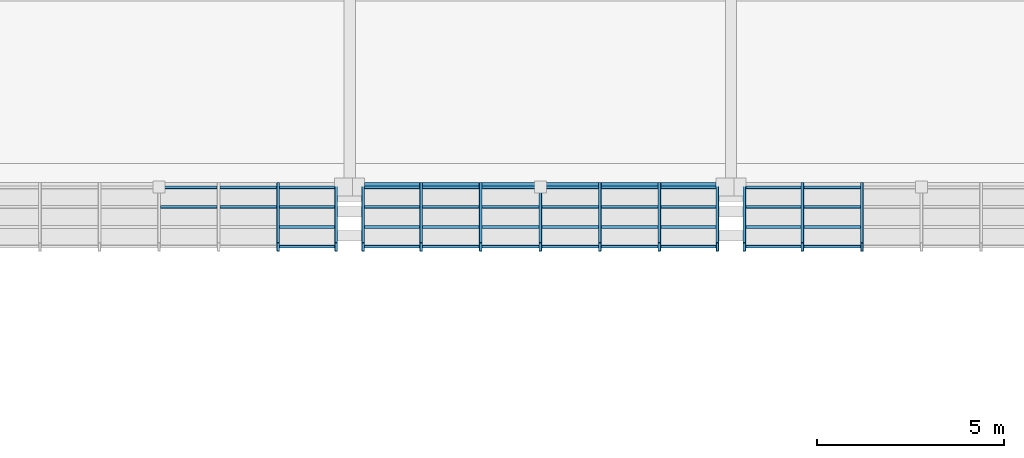
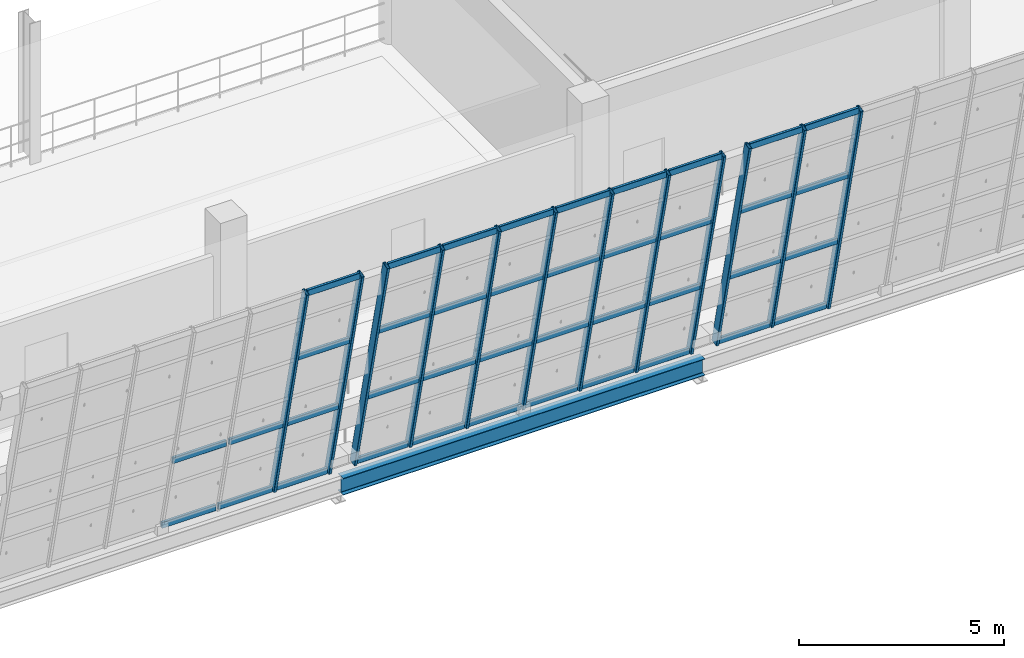
# One storey, part 28 of 157: 52 members, 1 beam, 3 elements without a shape of their own.
"""IFC4 building model written with IfcOpenShell, lengths in metres."""

from ifc_helpers import new_model, si_unit, direction, frame, origin, origin_2d, place, context, subcontext, project, spatial, hollow_rectangle, i_section, extrude, material, material_profile, profile_set, type_object, element, aggregate, save


model = new_model("IFC4")

# Units and contexts
model_context = context("Model", 3, precision=1e-05, world=origin(), true_north=direction((0.0, 1.0)))
body_context = subcontext(model_context, "Body", "Model", "MODEL_VIEW")
ifc_project = project(units=[si_unit("LENGTHUNIT", "METRE"), si_unit("AREAUNIT", "SQUARE_METRE"), si_unit("VOLUMEUNIT", "CUBIC_METRE"), si_unit("PLANEANGLEUNIT", "RADIAN"), si_unit("MASSUNIT", "GRAM", prefix="KILO")], contexts=[model_context])

# Site, building, storey
site_placement = place(None, origin())
site = spatial("IfcSite", under=ifc_project, at=site_placement, CompositionType="ELEMENT")
building_placement = place(site_placement, origin())
building = spatial("IfcBuilding", under=site, at=building_placement, Name="Brelvane Convention Centre", CompositionType="ELEMENT")
storey_placement = place(building_placement, frame((0.0, 0.0, 10.800048828125)))
storey = spatial("IfcBuildingStorey", under=building, at=storey_placement, Name="L02", CompositionType="ELEMENT", Elevation=10.800048828125)

# Curtain wall, members
ifc_material_1 = material(Name="Anodised Aluminium Alloy 6063-T6", Category="aluminium")
curtain_wall_type = type_object("IfcCurtainWallType", Name="Curtain Wall CW-HULL-S", PredefinedType="USERDEFINED", material=ifc_material_1)
curtain_wall_1_placement = place(storey_placement, origin())
curtain_wall_1 = element("IfcCurtainWall", 1, at=curtain_wall_1_placement, inside=storey, type_object=curtain_wall_type, Name="Curtain Wall CW-HULL-S L02-HULL-S-L02-07", ObjectType="UNITISED", PredefinedType="USERDEFINED")
ifc_material_2 = material(Name="Anodised Aluminium Alloy 6063-T6", Category="aluminium")
ifc_material_profile_1 = material_profile(ifc_material_2, hollow_rectangle(XDim=0.080078125, YDim=0.239990234375, WallThickness=0.006103515625, InnerFilletRadius=0.006103515625, OuterFilletRadius=0.011962890625, at=origin_2d()), Name="ALU-M 240x80x6.0")
ifc_profile_set_1 = profile_set([ifc_material_profile_1], Name="Anodised Aluminium Alloy 6063-T6")
member_type_1 = type_object("IfcMemberType", Name="Curtain Mullion CW-M1", PredefinedType="MULLION", material=ifc_profile_set_1)
member_1_placement = place(storey_placement, frame((69.486572265625, 13.60009765625, 0.0), z_axis=(0.0, -0.228360410362, 0.973576665178), x_axis=(1.0, 0.0, 0.0)))
member_1 = element("IfcMember", 2, at=member_1_placement, type_object=member_type_1, Name="CW-HULL-S mullion 6", PredefinedType="MULLION", context=body_context, shape_type="SweptSolid", body=[
    extrude(hollow_rectangle(XDim=0.080078125, YDim=0.239990234375, WallThickness=0.006103515625, InnerFilletRadius=0.006103515625, OuterFilletRadius=0.011962890625, at=origin_2d()), origin(), (0.0, 0.0, 1.0), 7.03564453125),
])
member_2_placement = place(storey_placement, frame((71.0400390625, 13.60009765625, 0.0), z_axis=(0.0, -0.228360410362, 0.973576665178), x_axis=(1.0, 0.0, 0.0)))
member_2 = element("IfcMember", 3, at=member_2_placement, type_object=member_type_1, Name="CW-HULL-S mullion 7", PredefinedType="MULLION", context=body_context, shape_type="SweptSolid", body=[
    extrude(hollow_rectangle(XDim=0.080078125, YDim=0.239990234375, WallThickness=0.006103515625, InnerFilletRadius=0.006103515625, OuterFilletRadius=0.011962890625, at=origin_2d()), origin(), (0.0, 0.0, 1.0), 7.03564453125),
])

curtain_wall_2_placement = place(storey_placement, origin())
curtain_wall_2 = element("IfcCurtainWall", 4, at=curtain_wall_2_placement, inside=storey, type_object=curtain_wall_type, Name="Curtain Wall CW-HULL-S L02-HULL-S-L02-08", ObjectType="UNITISED", PredefinedType="USERDEFINED")
member_3_placement = place(storey_placement, frame((71.760009765625, 13.60009765625, 0.0), z_axis=(0.0, -0.228360410362, 0.973576665178), x_axis=(1.0, 0.0, 0.0)))
member_3 = element("IfcMember", 5, at=member_3_placement, type_object=member_type_1, Name="CW-HULL-S mullion 1", PredefinedType="MULLION", context=body_context, shape_type="SweptSolid", body=[
    extrude(hollow_rectangle(XDim=0.080078125, YDim=0.239990234375, WallThickness=0.006103515625, InnerFilletRadius=0.006103515625, OuterFilletRadius=0.011962890625, at=origin_2d()), origin(), (0.0, 0.0, 1.0), 7.03564453125),
])
member_4_placement = place(storey_placement, frame((73.313232421875, 13.60009765625, 0.0), z_axis=(0.0, -0.228360410362, 0.973576665178), x_axis=(1.0, 0.0, 0.0)))
member_4 = element("IfcMember", 6, at=member_4_placement, type_object=member_type_1, Name="CW-HULL-S mullion 2", PredefinedType="MULLION", context=body_context, shape_type="SweptSolid", body=[
    extrude(hollow_rectangle(XDim=0.080078125, YDim=0.239990234375, WallThickness=0.006103515625, InnerFilletRadius=0.006103515625, OuterFilletRadius=0.011962890625, at=origin_2d()), origin(), (0.0, 0.0, 1.0), 7.03564453125),
])
member_5_placement = place(storey_placement, frame((74.90673828125, 13.60009765625, 0.0), z_axis=(0.0, -0.228360410362, 0.973576665178), x_axis=(1.0, 0.0, 0.0)))
member_5 = element("IfcMember", 7, at=member_5_placement, type_object=member_type_1, Name="CW-HULL-S mullion 3", PredefinedType="MULLION", context=body_context, shape_type="SweptSolid", body=[
    extrude(hollow_rectangle(XDim=0.080078125, YDim=0.239990234375, WallThickness=0.006103515625, InnerFilletRadius=0.006103515625, OuterFilletRadius=0.011962890625, at=origin_2d()), origin(), (0.0, 0.0, 1.0), 7.03564453125),
])
member_6_placement = place(storey_placement, frame((76.5, 13.60009765625, 0.0), z_axis=(0.0, -0.228360410362, 0.973576665178), x_axis=(1.0, 0.0, 0.0)))
member_6 = element("IfcMember", 8, at=member_6_placement, type_object=member_type_1, Name="CW-HULL-S mullion 4", PredefinedType="MULLION", context=body_context, shape_type="SweptSolid", body=[
    extrude(hollow_rectangle(XDim=0.080078125, YDim=0.239990234375, WallThickness=0.006103515625, InnerFilletRadius=0.006103515625, OuterFilletRadius=0.011962890625, at=origin_2d()), origin(), (0.0, 0.0, 1.0), 7.03564453125),
])
member_7_placement = place(storey_placement, frame((78.09326171875, 13.60009765625, 0.0), z_axis=(0.0, -0.228360410362, 0.973576665178), x_axis=(1.0, 0.0, 0.0)))
member_7 = element("IfcMember", 9, at=member_7_placement, type_object=member_type_1, Name="CW-HULL-S mullion 5", PredefinedType="MULLION", context=body_context, shape_type="SweptSolid", body=[
    extrude(hollow_rectangle(XDim=0.080078125, YDim=0.239990234375, WallThickness=0.006103515625, InnerFilletRadius=0.006103515625, OuterFilletRadius=0.011962890625, at=origin_2d()), origin(), (0.0, 0.0, 1.0), 7.03564453125),
])
member_8_placement = place(storey_placement, frame((79.686767578125, 13.60009765625, 0.0), z_axis=(0.0, -0.228360410362, 0.973576665178), x_axis=(1.0, 0.0, 0.0)))
member_8 = element("IfcMember", 10, at=member_8_placement, type_object=member_type_1, Name="CW-HULL-S mullion 6", PredefinedType="MULLION", context=body_context, shape_type="SweptSolid", body=[
    extrude(hollow_rectangle(XDim=0.080078125, YDim=0.239990234375, WallThickness=0.006103515625, InnerFilletRadius=0.006103515625, OuterFilletRadius=0.011962890625, at=origin_2d()), origin(), (0.0, 0.0, 1.0), 7.03564453125),
])
member_9_placement = place(storey_placement, frame((81.239990234375, 13.60009765625, 0.0), z_axis=(0.0, -0.228360410362, 0.973576665178), x_axis=(1.0, 0.0, 0.0)))
member_9 = element("IfcMember", 11, at=member_9_placement, type_object=member_type_1, Name="CW-HULL-S mullion 7", PredefinedType="MULLION", context=body_context, shape_type="SweptSolid", body=[
    extrude(hollow_rectangle(XDim=0.080078125, YDim=0.239990234375, WallThickness=0.006103515625, InnerFilletRadius=0.006103515625, OuterFilletRadius=0.011962890625, at=origin_2d()), origin(), (0.0, 0.0, 1.0), 7.03564453125),
])

curtain_wall_3_placement = place(storey_placement, origin())
curtain_wall_3 = element("IfcCurtainWall", 12, at=curtain_wall_3_placement, inside=storey, type_object=curtain_wall_type, Name="Curtain Wall CW-HULL-S L02-HULL-S-L02-09", ObjectType="UNITISED", PredefinedType="USERDEFINED")
member_10_placement = place(storey_placement, frame((81.9599609375, 13.60009765625, 0.0), z_axis=(0.0, -0.228360410362, 0.973576665178), x_axis=(1.0, 0.0, 0.0)))
member_10 = element("IfcMember", 13, at=member_10_placement, type_object=member_type_1, Name="CW-HULL-S mullion 1", PredefinedType="MULLION", context=body_context, shape_type="SweptSolid", body=[
    extrude(hollow_rectangle(XDim=0.080078125, YDim=0.239990234375, WallThickness=0.006103515625, InnerFilletRadius=0.006103515625, OuterFilletRadius=0.011962890625, at=origin_2d()), origin(), (0.0, 0.0, 1.0), 7.03564453125),
])
member_11_placement = place(storey_placement, frame((83.513427734375, 13.60009765625, 0.0), z_axis=(0.0, -0.228360410362, 0.973576665178), x_axis=(1.0, 0.0, 0.0)))
member_11 = element("IfcMember", 14, at=member_11_placement, type_object=member_type_1, Name="CW-HULL-S mullion 2", PredefinedType="MULLION", context=body_context, shape_type="SweptSolid", body=[
    extrude(hollow_rectangle(XDim=0.080078125, YDim=0.239990234375, WallThickness=0.006103515625, InnerFilletRadius=0.006103515625, OuterFilletRadius=0.011962890625, at=origin_2d()), origin(), (0.0, 0.0, 1.0), 7.03564453125),
])
member_12_placement = place(storey_placement, frame((85.106689453125, 13.60009765625, 0.0), z_axis=(0.0, -0.228360410362, 0.973576665178), x_axis=(1.0, 0.0, 0.0)))
member_12 = element("IfcMember", 15, at=member_12_placement, type_object=member_type_1, Name="CW-HULL-S mullion 3", PredefinedType="MULLION", context=body_context, shape_type="SweptSolid", body=[
    extrude(hollow_rectangle(XDim=0.080078125, YDim=0.239990234375, WallThickness=0.006103515625, InnerFilletRadius=0.006103515625, OuterFilletRadius=0.011962890625, at=origin_2d()), origin(), (0.0, 0.0, 1.0), 7.03564453125),
])

# Member
ifc_material_3 = material(Name="Anodised Aluminium Alloy 6063-T6", Category="aluminium")
ifc_material_profile_2 = material_profile(ifc_material_3, hollow_rectangle(XDim=0.080078125, YDim=0.179931640625, WallThickness=0.0048828125, InnerFilletRadius=0.0048828125, OuterFilletRadius=0.010009765625, at=origin_2d()), Name="ALU-T 180x80x5.0")
ifc_profile_set_2 = profile_set([ifc_material_profile_2], Name="Anodised Aluminium Alloy 6063-T6")
member_type_2 = type_object("IfcMemberType", Name="Curtain Transom CW-T1", PredefinedType="USERDEFINED", material=ifc_profile_set_2)
member_13_placement = place(storey_placement, frame((66.340087890625, 13.590576171875, 0.0400390625), z_axis=(1.0, 0.0, 0.0), x_axis=(0.0, 1.0, 0.0)))
member_13 = element("IfcMember", 16, at=member_13_placement, type_object=member_type_2, Name="CW-HULL-S transom 4.1", ObjectType="TRANSOM", PredefinedType="USERDEFINED", context=body_context, shape_type="SweptSolid", body=[
    extrude(hollow_rectangle(XDim=0.080078125, YDim=0.179931640625, WallThickness=0.0048828125, InnerFilletRadius=0.0048828125, OuterFilletRadius=0.010009765625, at=origin_2d()), origin(), (0.0, 0.0, 1.0), 1.51318359375),
])

member_14_placement = place(storey_placement, frame((66.340087890625, 13.064453125, 2.283203125), z_axis=(1.0, 0.0, 0.0), x_axis=(0.0, 1.0, 0.0)))
member_14 = element("IfcMember", 17, at=member_14_placement, type_object=member_type_2, Name="CW-HULL-S transom 4.2", ObjectType="TRANSOM", PredefinedType="USERDEFINED", context=body_context, shape_type="SweptSolid", body=[
    extrude(hollow_rectangle(XDim=0.080078125, YDim=0.179931640625, WallThickness=0.0048828125, InnerFilletRadius=0.0048828125, OuterFilletRadius=0.010009765625, at=origin_2d()), origin(), (0.0, 0.0, 1.0), 1.51318359375),
])

member_15_placement = place(storey_placement, frame((67.933349609375, 13.590576171875, 0.0400390625), z_axis=(1.0, 0.0, 0.0), x_axis=(0.0, 1.0, 0.0)))
member_15 = element("IfcMember", 18, at=member_15_placement, type_object=member_type_2, Name="CW-HULL-S transom 5.1", ObjectType="TRANSOM", PredefinedType="USERDEFINED", context=body_context, shape_type="SweptSolid", body=[
    extrude(hollow_rectangle(XDim=0.080078125, YDim=0.179931640625, WallThickness=0.0048828125, InnerFilletRadius=0.0048828125, OuterFilletRadius=0.010009765625, at=origin_2d()), origin(), (0.0, 0.0, 1.0), 1.513427734375),
])

member_16_placement = place(storey_placement, frame((67.933349609375, 13.064453125, 2.283203125), z_axis=(1.0, 0.0, 0.0), x_axis=(0.0, 1.0, 0.0)))
member_16 = element("IfcMember", 19, at=member_16_placement, type_object=member_type_2, Name="CW-HULL-S transom 5.2", ObjectType="TRANSOM", PredefinedType="USERDEFINED", context=body_context, shape_type="SweptSolid", body=[
    extrude(hollow_rectangle(XDim=0.080078125, YDim=0.179931640625, WallThickness=0.0048828125, InnerFilletRadius=0.0048828125, OuterFilletRadius=0.010009765625, at=origin_2d()), origin(), (0.0, 0.0, 1.0), 1.513427734375),
])

member_17_placement = place(storey_placement, frame((69.526611328125, 13.590576171875, 0.0400390625), z_axis=(1.0, 0.0, 0.0), x_axis=(0.0, 1.0, 0.0)))
member_17 = element("IfcMember", 20, at=member_17_placement, type_object=member_type_2, Name="CW-HULL-S transom 6.1", ObjectType="TRANSOM", PredefinedType="USERDEFINED", context=body_context, shape_type="SweptSolid", body=[
    extrude(hollow_rectangle(XDim=0.080078125, YDim=0.179931640625, WallThickness=0.0048828125, InnerFilletRadius=0.0048828125, OuterFilletRadius=0.010009765625, at=origin_2d()), origin(), (0.0, 0.0, 1.0), 1.473388671875),
])

member_18_placement = place(storey_placement, frame((69.526611328125, 13.064453125, 2.283203125), z_axis=(1.0, 0.0, 0.0), x_axis=(0.0, 1.0, 0.0)))
member_18 = element("IfcMember", 21, at=member_18_placement, type_object=member_type_2, Name="CW-HULL-S transom 6.2", ObjectType="TRANSOM", PredefinedType="USERDEFINED", context=body_context, shape_type="SweptSolid", body=[
    extrude(hollow_rectangle(XDim=0.080078125, YDim=0.179931640625, WallThickness=0.0048828125, InnerFilletRadius=0.0048828125, OuterFilletRadius=0.010009765625, at=origin_2d()), origin(), (0.0, 0.0, 1.0), 1.473388671875),
])

member_19_placement = place(storey_placement, frame((69.526611328125, 12.52880859375, 4.566650390625), z_axis=(1.0, 0.0, 0.0), x_axis=(0.0, 1.0, 0.0)))
member_19 = element("IfcMember", 22, at=member_19_placement, type_object=member_type_2, Name="CW-HULL-S transom 6.3", ObjectType="TRANSOM", PredefinedType="USERDEFINED", context=body_context, shape_type="SweptSolid", body=[
    extrude(hollow_rectangle(XDim=0.080078125, YDim=0.179931640625, WallThickness=0.0048828125, InnerFilletRadius=0.0048828125, OuterFilletRadius=0.010009765625, at=origin_2d()), origin(), (0.0, 0.0, 1.0), 1.473388671875),
])

member_20_placement = place(storey_placement, frame((69.526611328125, 12.002685546875, 6.81005859375), z_axis=(1.0, 0.0, 0.0), x_axis=(0.0, 1.0, 0.0)))
member_20 = element("IfcMember", 23, at=member_20_placement, type_object=member_type_2, Name="CW-HULL-S transom 6.4", ObjectType="TRANSOM", PredefinedType="USERDEFINED", context=body_context, shape_type="SweptSolid", body=[
    extrude(hollow_rectangle(XDim=0.080078125, YDim=0.179931640625, WallThickness=0.0048828125, InnerFilletRadius=0.0048828125, OuterFilletRadius=0.010009765625, at=origin_2d()), origin(), (0.0, 0.0, 1.0), 1.473388671875),
])

aggregate(curtain_wall_1, [member_1, member_2, member_13, member_14, member_15, member_16, member_17, member_18, member_19, member_20])

member_21_placement = place(storey_placement, frame((71.800048828125, 13.590576171875, 0.0400390625), z_axis=(1.0, 0.0, 0.0), x_axis=(0.0, 1.0, 0.0)))
member_21 = element("IfcMember", 24, at=member_21_placement, type_object=member_type_2, Name="CW-HULL-S transom 1.1", ObjectType="TRANSOM", PredefinedType="USERDEFINED", context=body_context, shape_type="SweptSolid", body=[
    extrude(hollow_rectangle(XDim=0.080078125, YDim=0.179931640625, WallThickness=0.0048828125, InnerFilletRadius=0.0048828125, OuterFilletRadius=0.010009765625, at=origin_2d()), origin(), (0.0, 0.0, 1.0), 1.473388671875),
])

member_22_placement = place(storey_placement, frame((71.800048828125, 13.064453125, 2.283203125), z_axis=(1.0, 0.0, 0.0), x_axis=(0.0, 1.0, 0.0)))
member_22 = element("IfcMember", 25, at=member_22_placement, type_object=member_type_2, Name="CW-HULL-S transom 1.2", ObjectType="TRANSOM", PredefinedType="USERDEFINED", context=body_context, shape_type="SweptSolid", body=[
    extrude(hollow_rectangle(XDim=0.080078125, YDim=0.179931640625, WallThickness=0.0048828125, InnerFilletRadius=0.0048828125, OuterFilletRadius=0.010009765625, at=origin_2d()), origin(), (0.0, 0.0, 1.0), 1.473388671875),
])

member_23_placement = place(storey_placement, frame((71.800048828125, 12.52880859375, 4.566650390625), z_axis=(1.0, 0.0, 0.0), x_axis=(0.0, 1.0, 0.0)))
member_23 = element("IfcMember", 26, at=member_23_placement, type_object=member_type_2, Name="CW-HULL-S transom 1.3", ObjectType="TRANSOM", PredefinedType="USERDEFINED", context=body_context, shape_type="SweptSolid", body=[
    extrude(hollow_rectangle(XDim=0.080078125, YDim=0.179931640625, WallThickness=0.0048828125, InnerFilletRadius=0.0048828125, OuterFilletRadius=0.010009765625, at=origin_2d()), origin(), (0.0, 0.0, 1.0), 1.473388671875),
])

member_24_placement = place(storey_placement, frame((71.800048828125, 12.002685546875, 6.81005859375), z_axis=(1.0, 0.0, 0.0), x_axis=(0.0, 1.0, 0.0)))
member_24 = element("IfcMember", 27, at=member_24_placement, type_object=member_type_2, Name="CW-HULL-S transom 1.4", ObjectType="TRANSOM", PredefinedType="USERDEFINED", context=body_context, shape_type="SweptSolid", body=[
    extrude(hollow_rectangle(XDim=0.080078125, YDim=0.179931640625, WallThickness=0.0048828125, InnerFilletRadius=0.0048828125, OuterFilletRadius=0.010009765625, at=origin_2d()), origin(), (0.0, 0.0, 1.0), 1.473388671875),
])

member_25_placement = place(storey_placement, frame((73.353271484375, 13.590576171875, 0.0400390625), z_axis=(1.0, 0.0, 0.0), x_axis=(0.0, 1.0, 0.0)))
member_25 = element("IfcMember", 28, at=member_25_placement, type_object=member_type_2, Name="CW-HULL-S transom 2.1", ObjectType="TRANSOM", PredefinedType="USERDEFINED", context=body_context, shape_type="SweptSolid", body=[
    extrude(hollow_rectangle(XDim=0.080078125, YDim=0.179931640625, WallThickness=0.0048828125, InnerFilletRadius=0.0048828125, OuterFilletRadius=0.010009765625, at=origin_2d()), origin(), (0.0, 0.0, 1.0), 1.513427734375),
])

member_26_placement = place(storey_placement, frame((73.353271484375, 13.064453125, 2.283203125), z_axis=(1.0, 0.0, 0.0), x_axis=(0.0, 1.0, 0.0)))
member_26 = element("IfcMember", 29, at=member_26_placement, type_object=member_type_2, Name="CW-HULL-S transom 2.2", ObjectType="TRANSOM", PredefinedType="USERDEFINED", context=body_context, shape_type="SweptSolid", body=[
    extrude(hollow_rectangle(XDim=0.080078125, YDim=0.179931640625, WallThickness=0.0048828125, InnerFilletRadius=0.0048828125, OuterFilletRadius=0.010009765625, at=origin_2d()), origin(), (0.0, 0.0, 1.0), 1.513427734375),
])

member_27_placement = place(storey_placement, frame((73.353271484375, 12.52880859375, 4.566650390625), z_axis=(1.0, 0.0, 0.0), x_axis=(0.0, 1.0, 0.0)))
member_27 = element("IfcMember", 30, at=member_27_placement, type_object=member_type_2, Name="CW-HULL-S transom 2.3", ObjectType="TRANSOM", PredefinedType="USERDEFINED", context=body_context, shape_type="SweptSolid", body=[
    extrude(hollow_rectangle(XDim=0.080078125, YDim=0.179931640625, WallThickness=0.0048828125, InnerFilletRadius=0.0048828125, OuterFilletRadius=0.010009765625, at=origin_2d()), origin(), (0.0, 0.0, 1.0), 1.513427734375),
])

member_28_placement = place(storey_placement, frame((73.353271484375, 12.002685546875, 6.81005859375), z_axis=(1.0, 0.0, 0.0), x_axis=(0.0, 1.0, 0.0)))
member_28 = element("IfcMember", 31, at=member_28_placement, type_object=member_type_2, Name="CW-HULL-S transom 2.4", ObjectType="TRANSOM", PredefinedType="USERDEFINED", context=body_context, shape_type="SweptSolid", body=[
    extrude(hollow_rectangle(XDim=0.080078125, YDim=0.179931640625, WallThickness=0.0048828125, InnerFilletRadius=0.0048828125, OuterFilletRadius=0.010009765625, at=origin_2d()), origin(), (0.0, 0.0, 1.0), 1.513427734375),
])

member_29_placement = place(storey_placement, frame((74.94677734375, 13.590576171875, 0.0400390625), z_axis=(1.0, 0.0, 0.0), x_axis=(0.0, 1.0, 0.0)))
member_29 = element("IfcMember", 32, at=member_29_placement, type_object=member_type_2, Name="CW-HULL-S transom 3.1", ObjectType="TRANSOM", PredefinedType="USERDEFINED", context=body_context, shape_type="SweptSolid", body=[
    extrude(hollow_rectangle(XDim=0.080078125, YDim=0.179931640625, WallThickness=0.0048828125, InnerFilletRadius=0.0048828125, OuterFilletRadius=0.010009765625, at=origin_2d()), origin(), (0.0, 0.0, 1.0), 1.51318359375),
])

member_30_placement = place(storey_placement, frame((74.94677734375, 13.064453125, 2.283203125), z_axis=(1.0, 0.0, 0.0), x_axis=(0.0, 1.0, 0.0)))
member_30 = element("IfcMember", 33, at=member_30_placement, type_object=member_type_2, Name="CW-HULL-S transom 3.2", ObjectType="TRANSOM", PredefinedType="USERDEFINED", context=body_context, shape_type="SweptSolid", body=[
    extrude(hollow_rectangle(XDim=0.080078125, YDim=0.179931640625, WallThickness=0.0048828125, InnerFilletRadius=0.0048828125, OuterFilletRadius=0.010009765625, at=origin_2d()), origin(), (0.0, 0.0, 1.0), 1.51318359375),
])

member_31_placement = place(storey_placement, frame((74.94677734375, 12.52880859375, 4.566650390625), z_axis=(1.0, 0.0, 0.0), x_axis=(0.0, 1.0, 0.0)))
member_31 = element("IfcMember", 34, at=member_31_placement, type_object=member_type_2, Name="CW-HULL-S transom 3.3", ObjectType="TRANSOM", PredefinedType="USERDEFINED", context=body_context, shape_type="SweptSolid", body=[
    extrude(hollow_rectangle(XDim=0.080078125, YDim=0.179931640625, WallThickness=0.0048828125, InnerFilletRadius=0.0048828125, OuterFilletRadius=0.010009765625, at=origin_2d()), origin(), (0.0, 0.0, 1.0), 1.51318359375),
])

member_32_placement = place(storey_placement, frame((74.94677734375, 12.002685546875, 6.81005859375), z_axis=(1.0, 0.0, 0.0), x_axis=(0.0, 1.0, 0.0)))
member_32 = element("IfcMember", 35, at=member_32_placement, type_object=member_type_2, Name="CW-HULL-S transom 3.4", ObjectType="TRANSOM", PredefinedType="USERDEFINED", context=body_context, shape_type="SweptSolid", body=[
    extrude(hollow_rectangle(XDim=0.080078125, YDim=0.179931640625, WallThickness=0.0048828125, InnerFilletRadius=0.0048828125, OuterFilletRadius=0.010009765625, at=origin_2d()), origin(), (0.0, 0.0, 1.0), 1.51318359375),
])

member_33_placement = place(storey_placement, frame((76.5400390625, 13.590576171875, 0.0400390625), z_axis=(1.0, 0.0, 0.0), x_axis=(0.0, 1.0, 0.0)))
member_33 = element("IfcMember", 36, at=member_33_placement, type_object=member_type_2, Name="CW-HULL-S transom 4.1", ObjectType="TRANSOM", PredefinedType="USERDEFINED", context=body_context, shape_type="SweptSolid", body=[
    extrude(hollow_rectangle(XDim=0.080078125, YDim=0.179931640625, WallThickness=0.0048828125, InnerFilletRadius=0.0048828125, OuterFilletRadius=0.010009765625, at=origin_2d()), origin(), (0.0, 0.0, 1.0), 1.51318359375),
])

member_34_placement = place(storey_placement, frame((76.5400390625, 13.064453125, 2.283203125), z_axis=(1.0, 0.0, 0.0), x_axis=(0.0, 1.0, 0.0)))
member_34 = element("IfcMember", 37, at=member_34_placement, type_object=member_type_2, Name="CW-HULL-S transom 4.2", ObjectType="TRANSOM", PredefinedType="USERDEFINED", context=body_context, shape_type="SweptSolid", body=[
    extrude(hollow_rectangle(XDim=0.080078125, YDim=0.179931640625, WallThickness=0.0048828125, InnerFilletRadius=0.0048828125, OuterFilletRadius=0.010009765625, at=origin_2d()), origin(), (0.0, 0.0, 1.0), 1.51318359375),
])

member_35_placement = place(storey_placement, frame((76.5400390625, 12.52880859375, 4.566650390625), z_axis=(1.0, 0.0, 0.0), x_axis=(0.0, 1.0, 0.0)))
member_35 = element("IfcMember", 38, at=member_35_placement, type_object=member_type_2, Name="CW-HULL-S transom 4.3", ObjectType="TRANSOM", PredefinedType="USERDEFINED", context=body_context, shape_type="SweptSolid", body=[
    extrude(hollow_rectangle(XDim=0.080078125, YDim=0.179931640625, WallThickness=0.0048828125, InnerFilletRadius=0.0048828125, OuterFilletRadius=0.010009765625, at=origin_2d()), origin(), (0.0, 0.0, 1.0), 1.51318359375),
])

member_36_placement = place(storey_placement, frame((76.5400390625, 12.002685546875, 6.81005859375), z_axis=(1.0, 0.0, 0.0), x_axis=(0.0, 1.0, 0.0)))
member_36 = element("IfcMember", 39, at=member_36_placement, type_object=member_type_2, Name="CW-HULL-S transom 4.4", ObjectType="TRANSOM", PredefinedType="USERDEFINED", context=body_context, shape_type="SweptSolid", body=[
    extrude(hollow_rectangle(XDim=0.080078125, YDim=0.179931640625, WallThickness=0.0048828125, InnerFilletRadius=0.0048828125, OuterFilletRadius=0.010009765625, at=origin_2d()), origin(), (0.0, 0.0, 1.0), 1.51318359375),
])

member_37_placement = place(storey_placement, frame((78.13330078125, 13.590576171875, 0.0400390625), z_axis=(1.0, 0.0, 0.0), x_axis=(0.0, 1.0, 0.0)))
member_37 = element("IfcMember", 40, at=member_37_placement, type_object=member_type_2, Name="CW-HULL-S transom 5.1", ObjectType="TRANSOM", PredefinedType="USERDEFINED", context=body_context, shape_type="SweptSolid", body=[
    extrude(hollow_rectangle(XDim=0.080078125, YDim=0.179931640625, WallThickness=0.0048828125, InnerFilletRadius=0.0048828125, OuterFilletRadius=0.010009765625, at=origin_2d()), origin(), (0.0, 0.0, 1.0), 1.513427734375),
])

member_38_placement = place(storey_placement, frame((78.13330078125, 13.064453125, 2.283203125), z_axis=(1.0, 0.0, 0.0), x_axis=(0.0, 1.0, 0.0)))
member_38 = element("IfcMember", 41, at=member_38_placement, type_object=member_type_2, Name="CW-HULL-S transom 5.2", ObjectType="TRANSOM", PredefinedType="USERDEFINED", context=body_context, shape_type="SweptSolid", body=[
    extrude(hollow_rectangle(XDim=0.080078125, YDim=0.179931640625, WallThickness=0.0048828125, InnerFilletRadius=0.0048828125, OuterFilletRadius=0.010009765625, at=origin_2d()), origin(), (0.0, 0.0, 1.0), 1.513427734375),
])

member_39_placement = place(storey_placement, frame((78.13330078125, 12.52880859375, 4.566650390625), z_axis=(1.0, 0.0, 0.0), x_axis=(0.0, 1.0, 0.0)))
member_39 = element("IfcMember", 42, at=member_39_placement, type_object=member_type_2, Name="CW-HULL-S transom 5.3", ObjectType="TRANSOM", PredefinedType="USERDEFINED", context=body_context, shape_type="SweptSolid", body=[
    extrude(hollow_rectangle(XDim=0.080078125, YDim=0.179931640625, WallThickness=0.0048828125, InnerFilletRadius=0.0048828125, OuterFilletRadius=0.010009765625, at=origin_2d()), origin(), (0.0, 0.0, 1.0), 1.513427734375),
])

member_40_placement = place(storey_placement, frame((78.13330078125, 12.002685546875, 6.81005859375), z_axis=(1.0, 0.0, 0.0), x_axis=(0.0, 1.0, 0.0)))
member_40 = element("IfcMember", 43, at=member_40_placement, type_object=member_type_2, Name="CW-HULL-S transom 5.4", ObjectType="TRANSOM", PredefinedType="USERDEFINED", context=body_context, shape_type="SweptSolid", body=[
    extrude(hollow_rectangle(XDim=0.080078125, YDim=0.179931640625, WallThickness=0.0048828125, InnerFilletRadius=0.0048828125, OuterFilletRadius=0.010009765625, at=origin_2d()), origin(), (0.0, 0.0, 1.0), 1.513427734375),
])

member_41_placement = place(storey_placement, frame((79.7265625, 13.590576171875, 0.0400390625), z_axis=(1.0, 0.0, 0.0), x_axis=(0.0, 1.0, 0.0)))
member_41 = element("IfcMember", 44, at=member_41_placement, type_object=member_type_2, Name="CW-HULL-S transom 6.1", ObjectType="TRANSOM", PredefinedType="USERDEFINED", context=body_context, shape_type="SweptSolid", body=[
    extrude(hollow_rectangle(XDim=0.080078125, YDim=0.179931640625, WallThickness=0.0048828125, InnerFilletRadius=0.0048828125, OuterFilletRadius=0.010009765625, at=origin_2d()), origin(), (0.0, 0.0, 1.0), 1.473388671875),
])

member_42_placement = place(storey_placement, frame((79.7265625, 13.064453125, 2.283203125), z_axis=(1.0, 0.0, 0.0), x_axis=(0.0, 1.0, 0.0)))
member_42 = element("IfcMember", 45, at=member_42_placement, type_object=member_type_2, Name="CW-HULL-S transom 6.2", ObjectType="TRANSOM", PredefinedType="USERDEFINED", context=body_context, shape_type="SweptSolid", body=[
    extrude(hollow_rectangle(XDim=0.080078125, YDim=0.179931640625, WallThickness=0.0048828125, InnerFilletRadius=0.0048828125, OuterFilletRadius=0.010009765625, at=origin_2d()), origin(), (0.0, 0.0, 1.0), 1.473388671875),
])

member_43_placement = place(storey_placement, frame((79.7265625, 12.52880859375, 4.566650390625), z_axis=(1.0, 0.0, 0.0), x_axis=(0.0, 1.0, 0.0)))
member_43 = element("IfcMember", 46, at=member_43_placement, type_object=member_type_2, Name="CW-HULL-S transom 6.3", ObjectType="TRANSOM", PredefinedType="USERDEFINED", context=body_context, shape_type="SweptSolid", body=[
    extrude(hollow_rectangle(XDim=0.080078125, YDim=0.179931640625, WallThickness=0.0048828125, InnerFilletRadius=0.0048828125, OuterFilletRadius=0.010009765625, at=origin_2d()), origin(), (0.0, 0.0, 1.0), 1.473388671875),
])

member_44_placement = place(storey_placement, frame((79.7265625, 12.002685546875, 6.81005859375), z_axis=(1.0, 0.0, 0.0), x_axis=(0.0, 1.0, 0.0)))
member_44 = element("IfcMember", 47, at=member_44_placement, type_object=member_type_2, Name="CW-HULL-S transom 6.4", ObjectType="TRANSOM", PredefinedType="USERDEFINED", context=body_context, shape_type="SweptSolid", body=[
    extrude(hollow_rectangle(XDim=0.080078125, YDim=0.179931640625, WallThickness=0.0048828125, InnerFilletRadius=0.0048828125, OuterFilletRadius=0.010009765625, at=origin_2d()), origin(), (0.0, 0.0, 1.0), 1.473388671875),
])

aggregate(curtain_wall_2, [member_3, member_4, member_5, member_6, member_7, member_8, member_9, member_21, member_22, member_23, member_24, member_25, member_26, member_27, member_28, member_29, member_30, member_31, member_32, member_33, member_34, member_35, member_36, member_37, member_38, member_39, member_40, member_41, member_42, member_43, member_44])

member_45_placement = place(storey_placement, frame((82.0, 13.590576171875, 0.0400390625), z_axis=(1.0, 0.0, 0.0), x_axis=(0.0, 1.0, 0.0)))
member_45 = element("IfcMember", 48, at=member_45_placement, type_object=member_type_2, Name="CW-HULL-S transom 1.1", ObjectType="TRANSOM", PredefinedType="USERDEFINED", context=body_context, shape_type="SweptSolid", body=[
    extrude(hollow_rectangle(XDim=0.080078125, YDim=0.179931640625, WallThickness=0.0048828125, InnerFilletRadius=0.0048828125, OuterFilletRadius=0.010009765625, at=origin_2d()), origin(), (0.0, 0.0, 1.0), 1.473388671875),
])

member_46_placement = place(storey_placement, frame((82.0, 13.064453125, 2.283203125), z_axis=(1.0, 0.0, 0.0), x_axis=(0.0, 1.0, 0.0)))
member_46 = element("IfcMember", 49, at=member_46_placement, type_object=member_type_2, Name="CW-HULL-S transom 1.2", ObjectType="TRANSOM", PredefinedType="USERDEFINED", context=body_context, shape_type="SweptSolid", body=[
    extrude(hollow_rectangle(XDim=0.080078125, YDim=0.179931640625, WallThickness=0.0048828125, InnerFilletRadius=0.0048828125, OuterFilletRadius=0.010009765625, at=origin_2d()), origin(), (0.0, 0.0, 1.0), 1.473388671875),
])

member_47_placement = place(storey_placement, frame((82.0, 12.52880859375, 4.566650390625), z_axis=(1.0, 0.0, 0.0), x_axis=(0.0, 1.0, 0.0)))
member_47 = element("IfcMember", 50, at=member_47_placement, type_object=member_type_2, Name="CW-HULL-S transom 1.3", ObjectType="TRANSOM", PredefinedType="USERDEFINED", context=body_context, shape_type="SweptSolid", body=[
    extrude(hollow_rectangle(XDim=0.080078125, YDim=0.179931640625, WallThickness=0.0048828125, InnerFilletRadius=0.0048828125, OuterFilletRadius=0.010009765625, at=origin_2d()), origin(), (0.0, 0.0, 1.0), 1.473388671875),
])

member_48_placement = place(storey_placement, frame((82.0, 12.002685546875, 6.81005859375), z_axis=(1.0, 0.0, 0.0), x_axis=(0.0, 1.0, 0.0)))
member_48 = element("IfcMember", 51, at=member_48_placement, type_object=member_type_2, Name="CW-HULL-S transom 1.4", ObjectType="TRANSOM", PredefinedType="USERDEFINED", context=body_context, shape_type="SweptSolid", body=[
    extrude(hollow_rectangle(XDim=0.080078125, YDim=0.179931640625, WallThickness=0.0048828125, InnerFilletRadius=0.0048828125, OuterFilletRadius=0.010009765625, at=origin_2d()), origin(), (0.0, 0.0, 1.0), 1.473388671875),
])

member_49_placement = place(storey_placement, frame((83.55322265625, 13.590576171875, 0.0400390625), z_axis=(1.0, 0.0, 0.0), x_axis=(0.0, 1.0, 0.0)))
member_49 = element("IfcMember", 52, at=member_49_placement, type_object=member_type_2, Name="CW-HULL-S transom 2.1", ObjectType="TRANSOM", PredefinedType="USERDEFINED", context=body_context, shape_type="SweptSolid", body=[
    extrude(hollow_rectangle(XDim=0.080078125, YDim=0.179931640625, WallThickness=0.0048828125, InnerFilletRadius=0.0048828125, OuterFilletRadius=0.010009765625, at=origin_2d()), origin(), (0.0, 0.0, 1.0), 1.513427734375),
])

member_50_placement = place(storey_placement, frame((83.55322265625, 13.064453125, 2.283203125), z_axis=(1.0, 0.0, 0.0), x_axis=(0.0, 1.0, 0.0)))
member_50 = element("IfcMember", 53, at=member_50_placement, type_object=member_type_2, Name="CW-HULL-S transom 2.2", ObjectType="TRANSOM", PredefinedType="USERDEFINED", context=body_context, shape_type="SweptSolid", body=[
    extrude(hollow_rectangle(XDim=0.080078125, YDim=0.179931640625, WallThickness=0.0048828125, InnerFilletRadius=0.0048828125, OuterFilletRadius=0.010009765625, at=origin_2d()), origin(), (0.0, 0.0, 1.0), 1.513427734375),
])

member_51_placement = place(storey_placement, frame((83.55322265625, 12.52880859375, 4.566650390625), z_axis=(1.0, 0.0, 0.0), x_axis=(0.0, 1.0, 0.0)))
member_51 = element("IfcMember", 54, at=member_51_placement, type_object=member_type_2, Name="CW-HULL-S transom 2.3", ObjectType="TRANSOM", PredefinedType="USERDEFINED", context=body_context, shape_type="SweptSolid", body=[
    extrude(hollow_rectangle(XDim=0.080078125, YDim=0.179931640625, WallThickness=0.0048828125, InnerFilletRadius=0.0048828125, OuterFilletRadius=0.010009765625, at=origin_2d()), origin(), (0.0, 0.0, 1.0), 1.513427734375),
])

member_52_placement = place(storey_placement, frame((83.55322265625, 12.002685546875, 6.81005859375), z_axis=(1.0, 0.0, 0.0), x_axis=(0.0, 1.0, 0.0)))
member_52 = element("IfcMember", 55, at=member_52_placement, type_object=member_type_2, Name="CW-HULL-S transom 2.4", ObjectType="TRANSOM", PredefinedType="USERDEFINED", context=body_context, shape_type="SweptSolid", body=[
    extrude(hollow_rectangle(XDim=0.080078125, YDim=0.179931640625, WallThickness=0.0048828125, InnerFilletRadius=0.0048828125, OuterFilletRadius=0.010009765625, at=origin_2d()), origin(), (0.0, 0.0, 1.0), 1.513427734375),
])

aggregate(curtain_wall_3, [member_10, member_11, member_12, member_45, member_46, member_47, member_48, member_49, member_50, member_51, member_52])

# Beam
ifc_material_4 = material(Name="Steel E350 (350 MPa)", Category="steel")
ifc_material_profile_3 = material_profile(ifc_material_4, i_section(OverallWidth=0.25, OverallDepth=0.5, WebThickness=0.010009765625, FlangeThickness=0.0146484375, FilletRadius=0.01611328125, at=origin_2d()), Name="ISWB 500")
ifc_profile_set_3 = profile_set([ifc_material_profile_3], Name="Steel E350 (350 MPa)")
beam_type = type_object("IfcBeamType", Name="Steel Spandrel SP-ST1 (ISWB 500)", PredefinedType="SPANDREL", material=ifc_profile_set_3)
beam_placement = place(storey_placement, frame((71.39990234375, 13.60009765625, -0.530029296875), z_axis=(1.0, 0.0, 0.0), x_axis=(0.0, 1.0, 0.0)))
element("IfcBeam", 56, at=beam_placement, inside=storey, type_object=beam_type, Name="L02 Hull Overhang Edge Spandrel 8", PredefinedType="SPANDREL", context=body_context, shape_type="SweptSolid", body=[
    extrude(i_section(OverallWidth=0.25, OverallDepth=0.5, WebThickness=0.010009765625, FlangeThickness=0.0146484375, FilletRadius=0.01611328125, at=origin_2d()), origin(), (0.0, 0.0, 1.0), 10.2001953125),
])

save(model, "model.ifc")
